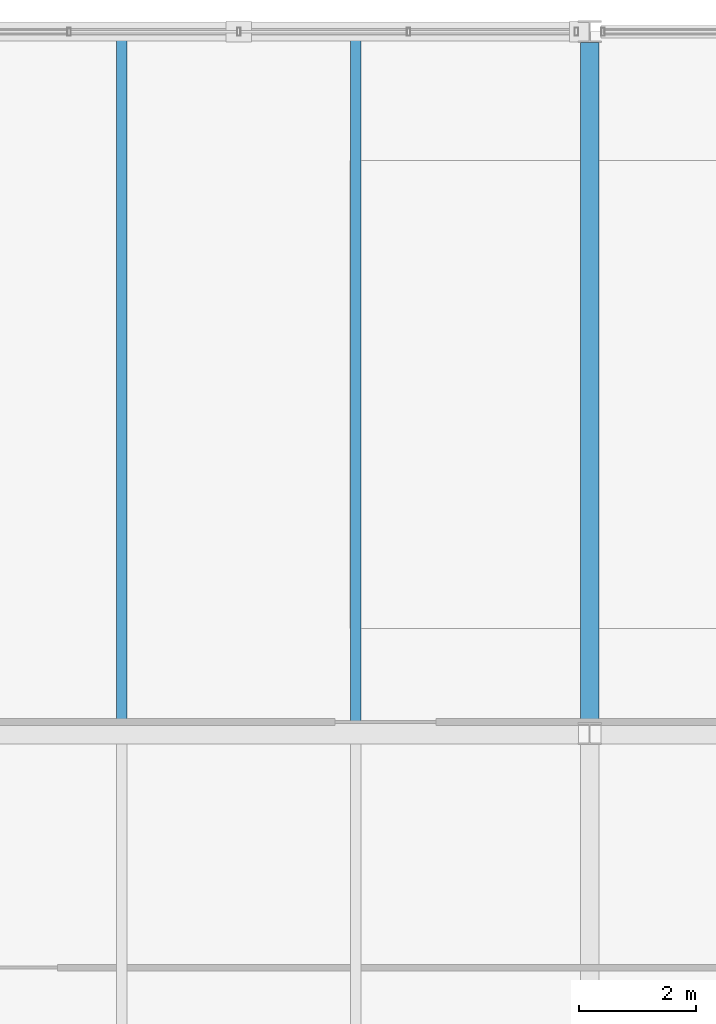
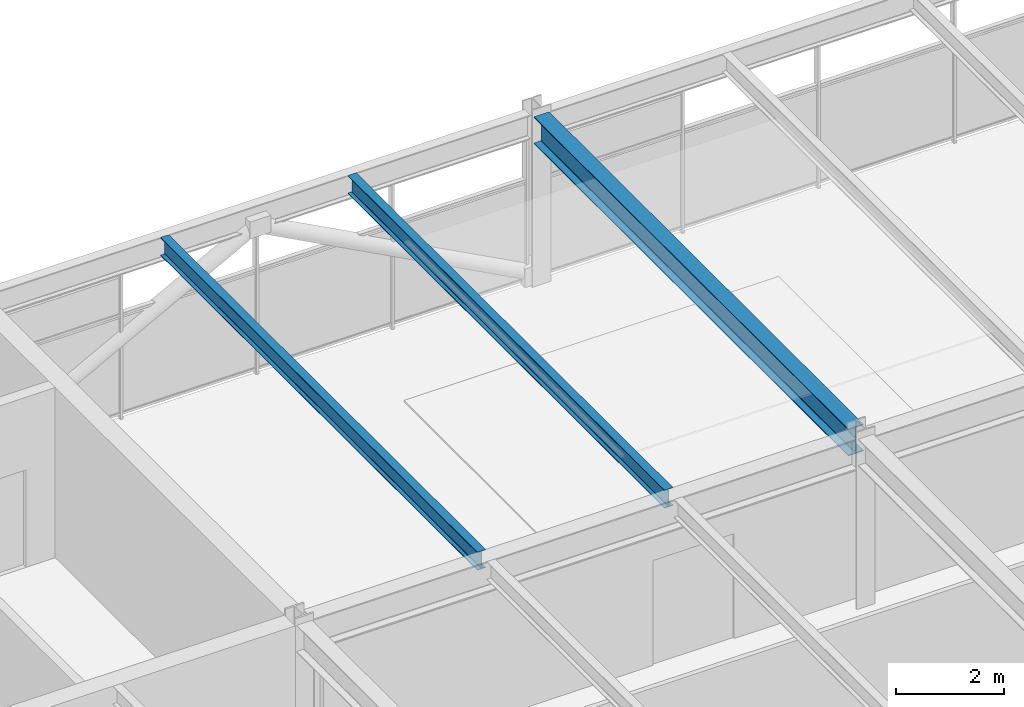
# One storey, part 38 of 52: 3 beams.
"""IFC4 building model written with IfcOpenShell, lengths in metres."""

from ifc_helpers import new_model, si_unit, direction, frame, origin, origin_2d, place, context, subcontext, project, spatial, i_section, extrude, material, material_profile, profile_set, type_object, element, save


model = new_model("IFC4")

# Units and contexts
model_context = context("Model", 3, precision=1e-05, world=origin(), true_north=direction((0.0, 1.0)))
body_context = subcontext(model_context, "Body", "Model", "MODEL_VIEW")
ifc_project = project(units=[si_unit("LENGTHUNIT", "METRE"), si_unit("AREAUNIT", "SQUARE_METRE"), si_unit("VOLUMEUNIT", "CUBIC_METRE"), si_unit("PLANEANGLEUNIT", "RADIAN"), si_unit("MASSUNIT", "GRAM", prefix="KILO")], contexts=[model_context])

# Site, building, storey
site_placement = place(None, origin())
site = spatial("IfcSite", under=ifc_project, at=site_placement, CompositionType="ELEMENT")
building_placement = place(site_placement, origin())
building = spatial("IfcBuilding", under=site, at=building_placement, Name="Girod Span Mobility Hub", CompositionType="ELEMENT")
storey_placement = place(building_placement, frame((0.0, 0.0, 45.60009765625)))
storey = spatial("IfcBuildingStorey", under=building, at=storey_placement, Name="L11", CompositionType="ELEMENT", Elevation=45.60009765625)

# Beams
ifc_material_1 = material(Name="Steel A992 Grade 50", Category="steel")
ifc_material_profile_1 = material_profile(ifc_material_1, i_section(OverallWidth=0.178955078125, OverallDepth=0.409912109375, WebThickness=0.0087890625, FlangeThickness=0.014404296875, FilletRadius=0.012939453125, at=origin_2d()), Name="W16X45")
ifc_profile_set_1 = profile_set([ifc_material_profile_1], Name="Steel A992 Grade 50")
beam_type_1 = type_object("IfcBeamType", Name="BM-STL-W16X45", PredefinedType="BEAM", material=ifc_profile_set_1)
for number, where, z_axis, x_axis, name in (
    (1, (124.0, 57.174560546875, 3.635009765625), (0.0, 1.0, 0.0), (-1.0, 0.0, 0.0), "Composite Floorbeam 11/E-1 L11"),
    (2, (128.0, 57.174560546875, 3.635009765625), (0.0, 1.0, 0.0), (-1.0, 0.0, 0.0), "Composite Floorbeam 11/E-2 L11"),
):
    element("IfcBeam", number, at=place(storey_placement, frame(where, z_axis=z_axis, x_axis=x_axis)), inside=storey, type_object=beam_type_1, Name=name, PredefinedType="BEAM", context=body_context, shape_type="SweptSolid", body=[
        extrude(i_section(OverallWidth=0.178955078125, OverallDepth=0.409912109375, WebThickness=0.0087890625, FlangeThickness=0.014404296875, FilletRadius=0.012939453125, at=origin_2d()), origin(), (0.0, 0.0, 1.0), 11.722412109375),
    ])
ifc_material_2 = material(Name="Steel A992 Grade 50", Category="steel")
ifc_material_profile_2 = material_profile(ifc_material_2, i_section(OverallWidth=0.323974609375, OverallDepth=0.611083984375, WebThickness=0.0126953125, FlangeThickness=0.01904296875, FilletRadius=0.014892578125, at=origin_2d()), Name="W24X104")
ifc_profile_set_2 = profile_set([ifc_material_profile_2], Name="Steel A992 Grade 50")
beam_type_2 = type_object("IfcBeamType", Name="BM-STL-W24X104", PredefinedType="BEAM", material=ifc_profile_set_2)
beam_placement = place(storey_placement, frame((132.0, 57.1845703125, 3.534423828125), z_axis=(0.0, 1.0, 0.0), x_axis=(-1.0, 0.0, 0.0)))
element("IfcBeam", 3, at=beam_placement, inside=storey, type_object=beam_type_2, Name="Tie Girder 12/E-F L11", PredefinedType="BEAM", context=body_context, shape_type="SweptSolid", body=[
    extrude(i_section(OverallWidth=0.323974609375, OverallDepth=0.611083984375, WebThickness=0.0126953125, FlangeThickness=0.01904296875, FilletRadius=0.014892578125, at=origin_2d()), origin(), (0.0, 0.0, 1.0), 11.630859375),
])

save(model, "model.ifc")
